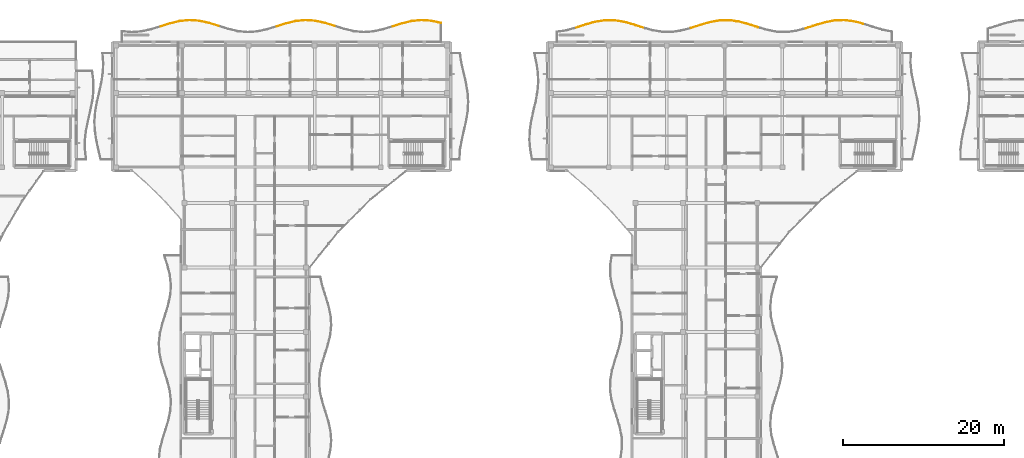
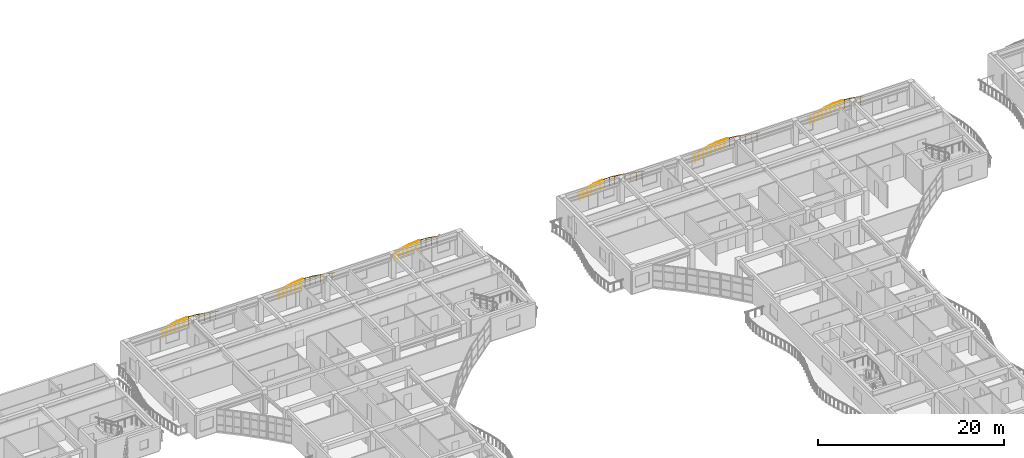
# One storey, part 64 of 71: 37 railings.
"""IFC4 building model written with IfcOpenShell, lengths in metres."""

from ifc_helpers import new_model, si_unit, direction, frame, origin, origin_2d, place, context, subcontext, project, spatial, circle, extrude, material, type_object, element, save


model = new_model("IFC4")

# Units and contexts
model_context = context("Model", 3, precision=1e-05, world=origin(), true_north=direction((0.0, 1.0)))
body_context = subcontext(model_context, "Body", "Model", "MODEL_VIEW")
ifc_project = project(units=[si_unit("LENGTHUNIT", "METRE"), si_unit("AREAUNIT", "SQUARE_METRE"), si_unit("VOLUMEUNIT", "CUBIC_METRE"), si_unit("PLANEANGLEUNIT", "RADIAN"), si_unit("MASSUNIT", "GRAM", prefix="KILO")], contexts=[model_context])

# Site, building, storey
site_placement = place(None, origin())
site = spatial("IfcSite", under=ifc_project, at=site_placement, CompositionType="ELEMENT")
building_placement = place(site_placement, origin())
building = spatial("IfcBuilding", under=site, at=building_placement, Name="Keldmere Railside Commons", CompositionType="ELEMENT")
storey_placement = place(building_placement, frame((0.0, 0.0, 20.159912109375)))
storey = spatial("IfcBuildingStorey", under=building, at=storey_placement, Name="L06", CompositionType="ELEMENT", Elevation=20.159912109375)

# Railings
ifc_material = material(Name="Steel F-24 (S235)", Category="steel")
railing_type = type_object("IfcRailingType", Name="Balcony & Terrace Steel Balustrade 1100", PredefinedType="BALUSTRADE", material=ifc_material)
railing_1_placement = place(storey_placement, frame((45.5, 117.9208984375, 0.0)))
element("IfcRailing", 1, at=railing_1_placement, inside=storey, type_object=railing_type, Name="GR-1 GRD-L06-1440", PredefinedType="BALUSTRADE", context=body_context, shape_type="SweptSolid", body=[
    extrude(circle(Radius=0.02392578125, at=origin_2d()), frame((0.0, 0.0, 1.076171875), z_axis=(0.953644225651, 0.300936356864, 0.0), x_axis=(-0.300936356864, 0.953644225651, 0.0)), (0.0, 0.0, 1.0), 1.25830078125),
    extrude(circle(Radius=0.02099609375, at=origin_2d()), frame((0.300048828125, 0.0947265625, 0.0)), (0.0, 0.0, 1.0), 1.048095703125),
    extrude(circle(Radius=0.02099609375, at=origin_2d()), frame((0.89990234375, 0.283935546875, 0.0)), (0.0, 0.0, 1.0), 1.048095703125),
])
railing_2_placement = place(storey_placement, frame((46.699951171875, 118.299560546875, 0.0)))
element("IfcRailing", 2, at=railing_2_placement, inside=storey, type_object=railing_type, Name="GR-1 GRD-L06-1441", PredefinedType="BALUSTRADE", context=body_context, shape_type="SweptSolid", body=[
    extrude(circle(Radius=0.02392578125, at=origin_2d()), frame((0.0, 0.0, 1.076171875), z_axis=(0.972950456483, 0.231013872374, 0.0), x_axis=(-0.231013872374, 0.972950456483, 0.0)), (0.0, 0.0, 1.0), 1.2333984375),
    extrude(circle(Radius=0.02099609375, at=origin_2d()), frame((0.300048828125, 0.0712890625, 0.0)), (0.0, 0.0, 1.0), 1.048095703125),
    extrude(circle(Radius=0.02099609375, at=origin_2d()), frame((0.89990234375, 0.213623046875, 0.0)), (0.0, 0.0, 1.0), 1.048095703125),
])
railing_3_placement = place(storey_placement, frame((47.89990234375, 118.58447265625, 0.0)))
element("IfcRailing", 3, at=railing_3_placement, inside=storey, type_object=railing_type, Name="GR-1 GRD-L06-1442", PredefinedType="BALUSTRADE", context=body_context, shape_type="SweptSolid", body=[
    extrude(circle(Radius=0.02392578125, at=origin_2d()), frame((0.0, 0.0, 1.076171875), z_axis=(0.995441618927, 0.095372864629, 0.0), x_axis=(-0.095372864629, 0.995441618927, 0.0)), (0.0, 0.0, 1.0), 1.205810546875),
    extrude(circle(Radius=0.02099609375, at=origin_2d()), frame((0.300048828125, 0.02880859375, 0.0)), (0.0, 0.0, 1.0), 1.048095703125),
    extrude(circle(Radius=0.02099609375, at=origin_2d()), frame((0.900146484375, 0.086181640625, 0.0)), (0.0, 0.0, 1.0), 1.048095703125),
])
railing_4_placement = place(storey_placement, frame((49.10009765625, 118.699462890625, 0.0)))
element("IfcRailing", 4, at=railing_4_placement, inside=storey, type_object=railing_type, Name="GR-1 GRD-L06-1443", PredefinedType="BALUSTRADE", context=body_context, shape_type="SweptSolid", body=[
    extrude(circle(Radius=0.02392578125, at=origin_2d()), frame((0.0, 0.0, 1.076171875), z_axis=(0.997445290295, -0.071434535541, 0.0), x_axis=(0.071434535541, 0.997445290295, 0.0)), (0.0, 0.0, 1.0), 1.203125),
    extrude(circle(Radius=0.02099609375, at=origin_2d()), frame((0.300048828125, -0.021484375, 0.0)), (0.0, 0.0, 1.0), 1.048095703125),
    extrude(circle(Radius=0.02099609375, at=origin_2d()), frame((0.89990234375, -0.064453125, 0.0)), (0.0, 0.0, 1.0), 1.048095703125),
])
railing_5_placement = place(storey_placement, frame((50.300048828125, 118.613525390625, 0.0)))
element("IfcRailing", 5, at=railing_5_placement, inside=storey, type_object=railing_type, Name="GR-1 GRD-L06-1444", PredefinedType="BALUSTRADE", context=body_context, shape_type="SweptSolid", body=[
    extrude(circle(Radius=0.02392578125, at=origin_2d()), frame((0.0, 0.0, 1.076171875), z_axis=(0.976698645206, -0.214615368631, 0.0), x_axis=(0.214615368631, 0.976698645206, 0.0)), (0.0, 0.0, 1.0), 1.228515625),
    extrude(circle(Radius=0.02099609375, at=origin_2d()), frame((0.300048828125, -0.06591796875, 0.0)), (0.0, 0.0, 1.0), 1.048095703125),
    extrude(circle(Radius=0.02099609375, at=origin_2d()), frame((0.89990234375, -0.19775390625, 0.0)), (0.0, 0.0, 1.0), 1.048095703125),
])
railing_6_placement = place(storey_placement, frame((51.5, 118.349853515625, 0.0)))
element("IfcRailing", 6, at=railing_6_placement, inside=storey, type_object=railing_type, Name="GR-1 GRD-L06-1445", PredefinedType="BALUSTRADE", context=body_context, shape_type="SweptSolid", body=[
    extrude(circle(Radius=0.02392578125, at=origin_2d()), frame((0.0, 0.0, 1.076171875), z_axis=(0.955412612016, -0.295274009695, 0.0), x_axis=(0.295274009695, 0.955412612016, 0.0)), (0.0, 0.0, 1.0), 1.255859375),
    extrude(circle(Radius=0.02099609375, at=origin_2d()), frame((0.300048828125, -0.0927734375, 0.0)), (0.0, 0.0, 1.0), 1.048095703125),
    extrude(circle(Radius=0.02099609375, at=origin_2d()), frame((0.89990234375, -0.278076171875, 0.0)), (0.0, 0.0, 1.0), 1.048095703125),
])
railing_7_placement = place(storey_placement, frame((59.89990234375, 117.9208984375, 0.0)))
element("IfcRailing", 7, at=railing_7_placement, inside=storey, type_object=railing_type, Name="GR-1 GRD-L06-1452", PredefinedType="BALUSTRADE", context=body_context, shape_type="SweptSolid", body=[
    extrude(circle(Radius=0.02392578125, at=origin_2d()), frame((0.0, 0.0, 1.076171875), z_axis=(0.95366179241, 0.300880683488, 0.0), x_axis=(-0.300880683488, 0.95366179241, 0.0)), (0.0, 0.0, 1.0), 1.258544921875),
    extrude(circle(Radius=0.02099609375, at=origin_2d()), frame((0.300048828125, 0.0947265625, 0.0)), (0.0, 0.0, 1.0), 1.048095703125),
    extrude(circle(Radius=0.02099609375, at=origin_2d()), frame((0.900146484375, 0.283935546875, 0.0)), (0.0, 0.0, 1.0), 1.048095703125),
])
railing_8_placement = place(storey_placement, frame((61.10009765625, 118.299560546875, 0.0)))
element("IfcRailing", 8, at=railing_8_placement, inside=storey, type_object=railing_type, Name="GR-1 GRD-L06-1453", PredefinedType="BALUSTRADE", context=body_context, shape_type="SweptSolid", body=[
    extrude(circle(Radius=0.02392578125, at=origin_2d()), frame((0.0, 0.0, 1.076171875), z_axis=(0.972950456483, 0.231013872374, 0.0), x_axis=(-0.231013872374, 0.972950456483, 0.0)), (0.0, 0.0, 1.0), 1.2333984375),
    extrude(circle(Radius=0.02099609375, at=origin_2d()), frame((0.300048828125, 0.0712890625, 0.0)), (0.0, 0.0, 1.0), 1.048095703125),
    extrude(circle(Radius=0.02099609375, at=origin_2d()), frame((0.89990234375, 0.213623046875, 0.0)), (0.0, 0.0, 1.0), 1.048095703125),
])
railing_9_placement = place(storey_placement, frame((62.300048828125, 118.58447265625, 0.0)))
element("IfcRailing", 9, at=railing_9_placement, inside=storey, type_object=railing_type, Name="GR-1 GRD-L06-1454", PredefinedType="BALUSTRADE", context=body_context, shape_type="SweptSolid", body=[
    extrude(circle(Radius=0.02392578125, at=origin_2d()), frame((0.0, 0.0, 1.076171875), z_axis=(0.995439776523, 0.095392092521, 0.0), x_axis=(-0.095392092521, 0.995439776523, 0.0)), (0.0, 0.0, 1.0), 1.20556640625),
    extrude(circle(Radius=0.02099609375, at=origin_2d()), frame((0.300048828125, 0.02880859375, 0.0)), (0.0, 0.0, 1.0), 1.048095703125),
    extrude(circle(Radius=0.02099609375, at=origin_2d()), frame((0.89990234375, 0.086181640625, 0.0)), (0.0, 0.0, 1.0), 1.048095703125),
])
railing_10_placement = place(storey_placement, frame((63.5, 118.699462890625, 0.0)))
element("IfcRailing", 10, at=railing_10_placement, inside=storey, type_object=railing_type, Name="GR-1 GRD-L06-1455", PredefinedType="BALUSTRADE", context=body_context, shape_type="SweptSolid", body=[
    extrude(circle(Radius=0.02392578125, at=origin_2d()), frame((0.0, 0.0, 1.076171875), z_axis=(0.997445290295, -0.071434535541, 0.0), x_axis=(0.071434535541, 0.997445290295, 0.0)), (0.0, 0.0, 1.0), 1.203125),
    extrude(circle(Radius=0.02099609375, at=origin_2d()), frame((0.300048828125, -0.021484375, 0.0)), (0.0, 0.0, 1.0), 1.048095703125),
    extrude(circle(Radius=0.02099609375, at=origin_2d()), frame((0.89990234375, -0.064453125, 0.0)), (0.0, 0.0, 1.0), 1.048095703125),
])
railing_11_placement = place(storey_placement, frame((64.699951171875, 118.613525390625, 0.0)))
element("IfcRailing", 11, at=railing_11_placement, inside=storey, type_object=railing_type, Name="GR-1 GRD-L06-1456", PredefinedType="BALUSTRADE", context=body_context, shape_type="SweptSolid", body=[
    extrude(circle(Radius=0.02392578125, at=origin_2d()), frame((0.0, 0.0, 1.076171875), z_axis=(0.976698645206, -0.214615368631, 0.0), x_axis=(0.214615368631, 0.976698645206, 0.0)), (0.0, 0.0, 1.0), 1.228515625),
    extrude(circle(Radius=0.02099609375, at=origin_2d()), frame((0.300048828125, -0.06591796875, 0.0)), (0.0, 0.0, 1.0), 1.048095703125),
    extrude(circle(Radius=0.02099609375, at=origin_2d()), frame((0.89990234375, -0.19775390625, 0.0)), (0.0, 0.0, 1.0), 1.048095703125),
])
railing_12_placement = place(storey_placement, frame((65.89990234375, 118.349853515625, 0.0)))
element("IfcRailing", 12, at=railing_12_placement, inside=storey, type_object=railing_type, Name="GR-1 GRD-L06-1457", PredefinedType="BALUSTRADE", context=body_context, shape_type="SweptSolid", body=[
    extrude(circle(Radius=0.02392578125, at=origin_2d()), frame((0.0, 0.0, 1.076171875), z_axis=(0.955429555273, -0.295219181135, 0.0), x_axis=(0.295219181135, 0.955429555273, 0.0)), (0.0, 0.0, 1.0), 1.256103515625),
    extrude(circle(Radius=0.02099609375, at=origin_2d()), frame((0.300048828125, -0.0927734375, 0.0)), (0.0, 0.0, 1.0), 1.048095703125),
    extrude(circle(Radius=0.02099609375, at=origin_2d()), frame((0.900146484375, -0.278076171875, 0.0)), (0.0, 0.0, 1.0), 1.048095703125),
])
railing_13_placement = place(storey_placement, frame((74.300048828125, 117.9208984375, 0.0)))
element("IfcRailing", 13, at=railing_13_placement, inside=storey, type_object=railing_type, Name="GR-1 GRD-L06-1464", PredefinedType="BALUSTRADE", context=body_context, shape_type="SweptSolid", body=[
    extrude(circle(Radius=0.02392578125, at=origin_2d()), frame((0.0, 0.0, 1.076171875), z_axis=(0.953644225651, 0.300936356864, 0.0), x_axis=(-0.300936356864, 0.953644225651, 0.0)), (0.0, 0.0, 1.0), 1.25830078125),
    extrude(circle(Radius=0.02099609375, at=origin_2d()), frame((0.300048828125, 0.0947265625, 0.0)), (0.0, 0.0, 1.0), 1.048095703125),
    extrude(circle(Radius=0.02099609375, at=origin_2d()), frame((0.89990234375, 0.283935546875, 0.0)), (0.0, 0.0, 1.0), 1.048095703125),
])
railing_14_placement = place(storey_placement, frame((75.5, 118.299560546875, 0.0)))
element("IfcRailing", 14, at=railing_14_placement, inside=storey, type_object=railing_type, Name="GR-1 GRD-L06-1465", PredefinedType="BALUSTRADE", context=body_context, shape_type="SweptSolid", body=[
    extrude(circle(Radius=0.02392578125, at=origin_2d()), frame((0.0, 0.0, 1.076171875), z_axis=(0.972950456483, 0.231013872374, 0.0), x_axis=(-0.231013872374, 0.972950456483, 0.0)), (0.0, 0.0, 1.0), 1.2333984375),
    extrude(circle(Radius=0.02099609375, at=origin_2d()), frame((0.300048828125, 0.0712890625, 0.0)), (0.0, 0.0, 1.0), 1.048095703125),
    extrude(circle(Radius=0.02099609375, at=origin_2d()), frame((0.89990234375, 0.213623046875, 0.0)), (0.0, 0.0, 1.0), 1.048095703125),
])
railing_15_placement = place(storey_placement, frame((76.699951171875, 118.58447265625, 0.0)))
element("IfcRailing", 15, at=railing_15_placement, inside=storey, type_object=railing_type, Name="GR-1 GRD-L06-1466", PredefinedType="BALUSTRADE", context=body_context, shape_type="SweptSolid", body=[
    extrude(circle(Radius=0.02392578125, at=origin_2d()), frame((0.0, 0.0, 1.076171875), z_axis=(0.995439776523, 0.095392092521, 0.0), x_axis=(-0.095392092521, 0.995439776523, 0.0)), (0.0, 0.0, 1.0), 1.20556640625),
    extrude(circle(Radius=0.02099609375, at=origin_2d()), frame((0.300048828125, 0.02880859375, 0.0)), (0.0, 0.0, 1.0), 1.048095703125),
    extrude(circle(Radius=0.02099609375, at=origin_2d()), frame((0.89990234375, 0.086181640625, 0.0)), (0.0, 0.0, 1.0), 1.048095703125),
])
railing_16_placement = place(storey_placement, frame((77.89990234375, 118.699462890625, 0.0)))
element("IfcRailing", 16, at=railing_16_placement, inside=storey, type_object=railing_type, Name="GR-1 GRD-L06-1467", PredefinedType="BALUSTRADE", context=body_context, shape_type="SweptSolid", body=[
    extrude(circle(Radius=0.02392578125, at=origin_2d()), frame((0.0, 0.0, 1.076171875), z_axis=(0.997446325557, -0.07142007864, 0.0), x_axis=(0.07142007864, 0.997446325557, 0.0)), (0.0, 0.0, 1.0), 1.203369140625),
    extrude(circle(Radius=0.02099609375, at=origin_2d()), frame((0.300048828125, -0.021484375, 0.0)), (0.0, 0.0, 1.0), 1.048095703125),
    extrude(circle(Radius=0.02099609375, at=origin_2d()), frame((0.900146484375, -0.064453125, 0.0)), (0.0, 0.0, 1.0), 1.048095703125),
])
railing_17_placement = place(storey_placement, frame((79.10009765625, 118.613525390625, 0.0)))
element("IfcRailing", 17, at=railing_17_placement, inside=storey, type_object=railing_type, Name="GR-1 GRD-L06-1468", PredefinedType="BALUSTRADE", context=body_context, shape_type="SweptSolid", body=[
    extrude(circle(Radius=0.02392578125, at=origin_2d()), frame((0.0, 0.0, 1.076171875), z_axis=(0.976698645206, -0.214615368631, 0.0), x_axis=(0.214615368631, 0.976698645206, 0.0)), (0.0, 0.0, 1.0), 1.228515625),
    extrude(circle(Radius=0.02099609375, at=origin_2d()), frame((0.300048828125, -0.06591796875, 0.0)), (0.0, 0.0, 1.0), 1.048095703125),
    extrude(circle(Radius=0.02099609375, at=origin_2d()), frame((0.89990234375, -0.19775390625, 0.0)), (0.0, 0.0, 1.0), 1.048095703125),
])
railing_18_placement = place(storey_placement, frame((97.0771484375, 117.767333984375, 0.0)))
element("IfcRailing", 18, at=railing_18_placement, inside=storey, type_object=railing_type, Name="GR-1 GRD-L06-2502", PredefinedType="BALUSTRADE", context=body_context, shape_type="SweptSolid", body=[
    extrude(circle(Radius=0.02392578125, at=origin_2d()), frame((0.0, 0.0, 1.076171875), z_axis=(0.951383894966, 0.308007604451, 0.0), x_axis=(-0.308007604451, 0.951383894966, 0.0)), (0.0, 0.0, 1.0), 1.249267578125),
    extrude(circle(Radius=0.02099609375, at=origin_2d()), frame((0.297119140625, 0.09619140625, 0.0)), (0.0, 0.0, 1.0), 1.048095703125),
    extrude(circle(Radius=0.02099609375, at=origin_2d()), frame((0.891357421875, 0.28857421875, 0.0)), (0.0, 0.0, 1.0), 1.048095703125),
])
railing_19_placement = place(storey_placement, frame((98.265625, 118.152099609375, 0.0)))
element("IfcRailing", 19, at=railing_19_placement, inside=storey, type_object=railing_type, Name="GR-1 GRD-L06-2503", PredefinedType="BALUSTRADE", context=body_context, shape_type="SweptSolid", body=[
    extrude(circle(Radius=0.02392578125, at=origin_2d()), frame((0.0, 0.0, 1.076171875), z_axis=(0.963287968843, 0.268470275975, 0.0), x_axis=(-0.268470275975, 0.963287968843, 0.0)), (0.0, 0.0, 1.0), 1.234130859375),
    extrude(circle(Radius=0.02099609375, at=origin_2d()), frame((0.297119140625, 0.082763671875, 0.0)), (0.0, 0.0, 1.0), 1.048095703125),
    extrude(circle(Radius=0.02099609375, at=origin_2d()), frame((0.8916015625, 0.24853515625, 0.0)), (0.0, 0.0, 1.0), 1.048095703125),
])
railing_20_placement = place(storey_placement, frame((99.454345703125, 118.4833984375, 0.0)))
element("IfcRailing", 20, at=railing_20_placement, inside=storey, type_object=railing_type, Name="GR-1 GRD-L06-2504", PredefinedType="BALUSTRADE", context=body_context, shape_type="SweptSolid", body=[
    extrude(circle(Radius=0.02392578125, at=origin_2d()), frame((0.0, 0.0, 1.076171875), z_axis=(0.987309936458, 0.158805193148, 0.0), x_axis=(-0.158805193148, 0.987309936458, 0.0)), (0.0, 0.0, 1.0), 1.203857421875),
    extrude(circle(Radius=0.02099609375, at=origin_2d()), frame((0.297119140625, 0.0478515625, 0.0)), (0.0, 0.0, 1.0), 1.048095703125),
    extrude(circle(Radius=0.02099609375, at=origin_2d()), frame((0.891357421875, 0.143310546875, 0.0)), (0.0, 0.0, 1.0), 1.048095703125),
])
railing_21_placement = place(storey_placement, frame((100.642822265625, 118.674560546875, 0.0)))
element("IfcRailing", 21, at=railing_21_placement, inside=storey, type_object=railing_type, Name="GR-1 GRD-L06-2505", PredefinedType="BALUSTRADE", context=body_context, shape_type="SweptSolid", body=[
    extrude(circle(Radius=0.02392578125, at=origin_2d()), frame((0.0, 0.0, 1.076171875), z_axis=(0.999999810106, 0.000616269398, 0.0), x_axis=(-0.000616269398, 0.999999810106, 0.0)), (0.0, 0.0, 1.0), 1.1884765625),
    extrude(circle(Radius=0.02099609375, at=origin_2d()), frame((0.297119140625, 0.000244140625, 0.0)), (0.0, 0.0, 1.0), 1.048095703125),
    extrude(circle(Radius=0.02099609375, at=origin_2d()), frame((0.891357421875, 0.00048828125, 0.0)), (0.0, 0.0, 1.0), 1.048095703125),
])
railing_22_placement = place(storey_placement, frame((101.831298828125, 118.67529296875, 0.0)))
element("IfcRailing", 22, at=railing_22_placement, inside=storey, type_object=railing_type, Name="GR-1 GRD-L06-2506", PredefinedType="BALUSTRADE", context=body_context, shape_type="SweptSolid", body=[
    extrude(circle(Radius=0.02392578125, at=origin_2d()), frame((0.0, 0.0, 1.076171875), z_axis=(0.987441897419, -0.157982591516, 0.0), x_axis=(0.157982591516, 0.987441897419, 0.0)), (0.0, 0.0, 1.0), 1.203857421875),
    extrude(circle(Radius=0.02099609375, at=origin_2d()), frame((0.297119140625, -0.047607421875, 0.0)), (0.0, 0.0, 1.0), 1.048095703125),
    extrude(circle(Radius=0.02099609375, at=origin_2d()), frame((0.8916015625, -0.142578125, 0.0)), (0.0, 0.0, 1.0), 1.048095703125),
])
railing_23_placement = place(storey_placement, frame((103.02001953125, 118.485107421875, 0.0)))
element("IfcRailing", 23, at=railing_23_placement, inside=storey, type_object=railing_type, Name="GR-1 GRD-L06-2507", PredefinedType="BALUSTRADE", context=body_context, shape_type="SweptSolid", body=[
    extrude(circle(Radius=0.02392578125, at=origin_2d()), frame((0.0, 0.0, 1.076171875), z_axis=(0.963376012471, -0.268154169453, 0.0), x_axis=(0.268154169453, 0.963376012471, 0.0)), (0.0, 0.0, 1.0), 1.233642578125),
    extrude(circle(Radius=0.02099609375, at=origin_2d()), frame((0.297119140625, -0.082763671875, 0.0)), (0.0, 0.0, 1.0), 1.048095703125),
    extrude(circle(Radius=0.02099609375, at=origin_2d()), frame((0.891357421875, -0.248046875, 0.0)), (0.0, 0.0, 1.0), 1.048095703125),
])
railing_24_placement = place(storey_placement, frame((104.20849609375, 118.154296875, 0.0)))
element("IfcRailing", 24, at=railing_24_placement, inside=storey, type_object=railing_type, Name="GR-1 GRD-L06-2508", PredefinedType="BALUSTRADE", context=body_context, shape_type="SweptSolid", body=[
    extrude(circle(Radius=0.02392578125, at=origin_2d()), frame((0.0, 0.0, 1.076171875), z_axis=(0.951459666784, -0.307773459681, 0.0), x_axis=(0.307773459681, 0.951459666784, 0.0)), (0.0, 0.0, 1.0), 1.249267578125),
    extrude(circle(Radius=0.02099609375, at=origin_2d()), frame((0.297119140625, -0.09619140625, 0.0)), (0.0, 0.0, 1.0), 1.048095703125),
    extrude(circle(Radius=0.02099609375, at=origin_2d()), frame((0.8916015625, -0.288330078125, 0.0)), (0.0, 0.0, 1.0), 1.048095703125),
])
railing_25_placement = place(storey_placement, frame((111.340087890625, 117.72412109375, 0.0)))
element("IfcRailing", 25, at=railing_25_placement, inside=storey, type_object=railing_type, Name="GR-1 GRD-L06-2514", PredefinedType="BALUSTRADE", context=body_context, shape_type="SweptSolid", body=[
    extrude(circle(Radius=0.02392578125, at=origin_2d()), frame((0.0, 0.0, 1.076171875), z_axis=(0.951498381706, 0.307653749549, 0.0), x_axis=(-0.307653749549, 0.951498381706, 0.0)), (0.0, 0.0, 1.0), 1.2490234375),
    extrude(circle(Radius=0.02099609375, at=origin_2d()), frame((0.297119140625, 0.09619140625, 0.0)), (0.0, 0.0, 1.0), 1.048095703125),
    extrude(circle(Radius=0.02099609375, at=origin_2d()), frame((0.891357421875, 0.2880859375, 0.0)), (0.0, 0.0, 1.0), 1.048095703125),
])
railing_26_placement = place(storey_placement, frame((112.528564453125, 118.1083984375, 0.0)))
element("IfcRailing", 26, at=railing_26_placement, inside=storey, type_object=railing_type, Name="GR-1 GRD-L06-2515", PredefinedType="BALUSTRADE", context=body_context, shape_type="SweptSolid", body=[
    extrude(circle(Radius=0.02392578125, at=origin_2d()), frame((0.0, 0.0, 1.076171875), z_axis=(0.960888260521, 0.276936365964, 0.0), x_axis=(-0.276936365964, 0.960888260521, 0.0)), (0.0, 0.0, 1.0), 1.23681640625),
    extrude(circle(Radius=0.02099609375, at=origin_2d()), frame((0.297119140625, 0.085693359375, 0.0)), (0.0, 0.0, 1.0), 1.048095703125),
    extrude(circle(Radius=0.02099609375, at=origin_2d()), frame((0.891357421875, 0.2568359375, 0.0)), (0.0, 0.0, 1.0), 1.048095703125),
])
railing_27_placement = place(storey_placement, frame((113.717041015625, 118.450927734375, 0.0)))
element("IfcRailing", 27, at=railing_27_placement, inside=storey, type_object=railing_type, Name="GR-1 GRD-L06-2516", PredefinedType="BALUSTRADE", context=body_context, shape_type="SweptSolid", body=[
    extrude(circle(Radius=0.02392578125, at=origin_2d()), frame((0.0, 0.0, 1.076171875), z_axis=(0.984652986841, 0.17452362449, 0.0), x_axis=(-0.17452362449, 0.984652986841, 0.0)), (0.0, 0.0, 1.0), 1.207275390625),
    extrude(circle(Radius=0.02099609375, at=origin_2d()), frame((0.297119140625, 0.052734375, 0.0)), (0.0, 0.0, 1.0), 1.048095703125),
    extrude(circle(Radius=0.02099609375, at=origin_2d()), frame((0.8916015625, 0.157958984375, 0.0)), (0.0, 0.0, 1.0), 1.048095703125),
])
railing_28_placement = place(storey_placement, frame((114.90576171875, 118.66162109375, 0.0)))
element("IfcRailing", 28, at=railing_28_placement, inside=storey, type_object=railing_type, Name="GR-1 GRD-L06-2517", PredefinedType="BALUSTRADE", context=body_context, shape_type="SweptSolid", body=[
    extrude(circle(Radius=0.02392578125, at=origin_2d()), frame((0.0, 0.0, 1.076171875), z_axis=(0.99980153541, 0.019922093043, 0.0), x_axis=(-0.019922093043, 0.99980153541, 0.0)), (0.0, 0.0, 1.0), 1.188720703125),
    extrude(circle(Radius=0.02099609375, at=origin_2d()), frame((0.297119140625, 0.005859375, 0.0)), (0.0, 0.0, 1.0), 1.048095703125),
    extrude(circle(Radius=0.02099609375, at=origin_2d()), frame((0.891357421875, 0.017822265625, 0.0)), (0.0, 0.0, 1.0), 1.048095703125),
])
railing_29_placement = place(storey_placement, frame((116.09423828125, 118.685302734375, 0.0)))
element("IfcRailing", 29, at=railing_29_placement, inside=storey, type_object=railing_type, Name="GR-1 GRD-L06-2518", PredefinedType="BALUSTRADE", context=body_context, shape_type="SweptSolid", body=[
    extrude(circle(Radius=0.02392578125, at=origin_2d()), frame((0.0, 0.0, 1.076171875), z_axis=(0.989965752724, -0.141307496025, 0.0), x_axis=(0.141307496025, 0.989965752724, 0.0)), (0.0, 0.0, 1.0), 1.20068359375),
    extrude(circle(Radius=0.02099609375, at=origin_2d()), frame((0.297119140625, -0.04248046875, 0.0)), (0.0, 0.0, 1.0), 1.048095703125),
    extrude(circle(Radius=0.02099609375, at=origin_2d()), frame((0.8916015625, -0.127197265625, 0.0)), (0.0, 0.0, 1.0), 1.048095703125),
])
railing_30_placement = place(storey_placement, frame((117.282958984375, 118.515625, 0.0)))
element("IfcRailing", 30, at=railing_30_placement, inside=storey, type_object=railing_type, Name="GR-1 GRD-L06-2519", PredefinedType="BALUSTRADE", context=body_context, shape_type="SweptSolid", body=[
    extrude(circle(Radius=0.02392578125, at=origin_2d()), frame((0.0, 0.0, 1.076171875), z_axis=(0.965894899487, -0.258934437927, 0.0), x_axis=(0.258934437927, 0.965894899487, 0.0)), (0.0, 0.0, 1.0), 1.23046875),
    extrude(circle(Radius=0.02099609375, at=origin_2d()), frame((0.297119140625, -0.07958984375, 0.0)), (0.0, 0.0, 1.0), 1.048095703125),
    extrude(circle(Radius=0.02099609375, at=origin_2d()), frame((0.891357421875, -0.239013671875, 0.0)), (0.0, 0.0, 1.0), 1.048095703125),
])
railing_31_placement = place(storey_placement, frame((118.471435546875, 118.197021484375, 0.0)))
element("IfcRailing", 31, at=railing_31_placement, inside=storey, type_object=railing_type, Name="GR-1 GRD-L06-2520", PredefinedType="BALUSTRADE", context=body_context, shape_type="SweptSolid", body=[
    extrude(circle(Radius=0.02392578125, at=origin_2d()), frame((0.0, 0.0, 1.076171875), z_axis=(0.951727042699, -0.306945656746, 0.0), x_axis=(0.306945656746, 0.951727042699, 0.0)), (0.0, 0.0, 1.0), 1.248779296875),
    extrude(circle(Radius=0.02099609375, at=origin_2d()), frame((0.297119140625, -0.095703125, 0.0)), (0.0, 0.0, 1.0), 1.048095703125),
    extrude(circle(Radius=0.02099609375, at=origin_2d()), frame((0.891357421875, -0.28759765625, 0.0)), (0.0, 0.0, 1.0), 1.048095703125),
])
railing_32_placement = place(storey_placement, frame((125.602783203125, 117.681884765625, 0.0)))
element("IfcRailing", 32, at=railing_32_placement, inside=storey, type_object=railing_type, Name="GR-1 GRD-L06-2526", PredefinedType="BALUSTRADE", context=body_context, shape_type="SweptSolid", body=[
    extrude(circle(Radius=0.02392578125, at=origin_2d()), frame((0.0, 0.0, 1.076171875), z_axis=(0.951973620287, 0.306180055323, 0.0), x_axis=(-0.306180055323, 0.951973620287, 0.0)), (0.0, 0.0, 1.0), 1.248779296875),
    extrude(circle(Radius=0.02099609375, at=origin_2d()), frame((0.297119140625, 0.095703125, 0.0)), (0.0, 0.0, 1.0), 1.048095703125),
    extrude(circle(Radius=0.02099609375, at=origin_2d()), frame((0.8916015625, 0.28662109375, 0.0)), (0.0, 0.0, 1.0), 1.048095703125),
])
railing_33_placement = place(storey_placement, frame((126.79150390625, 118.064208984375, 0.0)))
element("IfcRailing", 33, at=railing_33_placement, inside=storey, type_object=railing_type, Name="GR-1 GRD-L06-2527", PredefinedType="BALUSTRADE", context=body_context, shape_type="SweptSolid", body=[
    extrude(circle(Radius=0.02392578125, at=origin_2d()), frame((0.0, 0.0, 1.076171875), z_axis=(0.958710648188, 0.28438335579, 0.0), x_axis=(-0.28438335579, 0.958710648188, 0.0)), (0.0, 0.0, 1.0), 1.23974609375),
    extrude(circle(Radius=0.02099609375, at=origin_2d()), frame((0.297119140625, 0.088134765625, 0.0)), (0.0, 0.0, 1.0), 1.048095703125),
    extrude(circle(Radius=0.02099609375, at=origin_2d()), frame((0.891357421875, 0.264404296875, 0.0)), (0.0, 0.0, 1.0), 1.048095703125),
])
railing_34_placement = place(storey_placement, frame((127.97998046875, 118.416748046875, 0.0)))
element("IfcRailing", 34, at=railing_34_placement, inside=storey, type_object=railing_type, Name="GR-1 GRD-L06-2528", PredefinedType="BALUSTRADE", context=body_context, shape_type="SweptSolid", body=[
    extrude(circle(Radius=0.02392578125, at=origin_2d()), frame((0.0, 0.0, 1.076171875), z_axis=(0.981869546218, 0.189557891445, 0.0), x_axis=(-0.189557891445, 0.981869546218, 0.0)), (0.0, 0.0, 1.0), 1.210693359375),
    extrude(circle(Radius=0.02099609375, at=origin_2d()), frame((0.297119140625, 0.057373046875, 0.0)), (0.0, 0.0, 1.0), 1.048095703125),
    extrude(circle(Radius=0.02099609375, at=origin_2d()), frame((0.8916015625, 0.172119140625, 0.0)), (0.0, 0.0, 1.0), 1.048095703125),
])
railing_35_placement = place(storey_placement, frame((129.168701171875, 118.646240234375, 0.0)))
element("IfcRailing", 35, at=railing_35_placement, inside=storey, type_object=railing_type, Name="GR-1 GRD-L06-2529", PredefinedType="BALUSTRADE", context=body_context, shape_type="SweptSolid", body=[
    extrude(circle(Radius=0.02392578125, at=origin_2d()), frame((0.0, 0.0, 1.076171875), z_axis=(0.999231162563, 0.039205659829, 0.0), x_axis=(-0.039205659829, 0.999231162563, 0.0)), (0.0, 0.0, 1.0), 1.189453125),
    extrude(circle(Radius=0.02099609375, at=origin_2d()), frame((0.297119140625, 0.01171875, 0.0)), (0.0, 0.0, 1.0), 1.048095703125),
    extrude(circle(Radius=0.02099609375, at=origin_2d()), frame((0.891357421875, 0.034912109375, 0.0)), (0.0, 0.0, 1.0), 1.048095703125),
])
railing_36_placement = place(storey_placement, frame((130.357177734375, 118.69287109375, 0.0)))
element("IfcRailing", 36, at=railing_36_placement, inside=storey, type_object=railing_type, Name="GR-1 GRD-L06-2530", PredefinedType="BALUSTRADE", context=body_context, shape_type="SweptSolid", body=[
    extrude(circle(Radius=0.02392578125, at=origin_2d()), frame((0.0, 0.0, 1.076171875), z_axis=(0.992240201055, -0.124335768826, 0.0), x_axis=(0.124335768826, 0.992240201055, 0.0)), (0.0, 0.0, 1.0), 1.19775390625),
    extrude(circle(Radius=0.02099609375, at=origin_2d()), frame((0.297119140625, -0.037109375, 0.0)), (0.0, 0.0, 1.0), 1.048095703125),
    extrude(circle(Radius=0.02099609375, at=origin_2d()), frame((0.891357421875, -0.11181640625, 0.0)), (0.0, 0.0, 1.0), 1.048095703125),
])
railing_37_placement = place(storey_placement, frame((131.545654296875, 118.5439453125, 0.0)))
element("IfcRailing", 37, at=railing_37_placement, inside=storey, type_object=railing_type, Name="GR-1 GRD-L06-2531", PredefinedType="BALUSTRADE", context=body_context, shape_type="SweptSolid", body=[
    extrude(circle(Radius=0.02392578125, at=origin_2d()), frame((0.0, 0.0, 1.076171875), z_axis=(0.96863808824, -0.248475862028, 0.0), x_axis=(0.248475862028, 0.96863808824, 0.0)), (0.0, 0.0, 1.0), 1.227294921875),
    extrude(circle(Radius=0.02099609375, at=origin_2d()), frame((0.297119140625, -0.076171875, 0.0)), (0.0, 0.0, 1.0), 1.048095703125),
    extrude(circle(Radius=0.02099609375, at=origin_2d()), frame((0.8916015625, -0.228759765625, 0.0)), (0.0, 0.0, 1.0), 1.048095703125),
])

save(model, "model.ifc")
